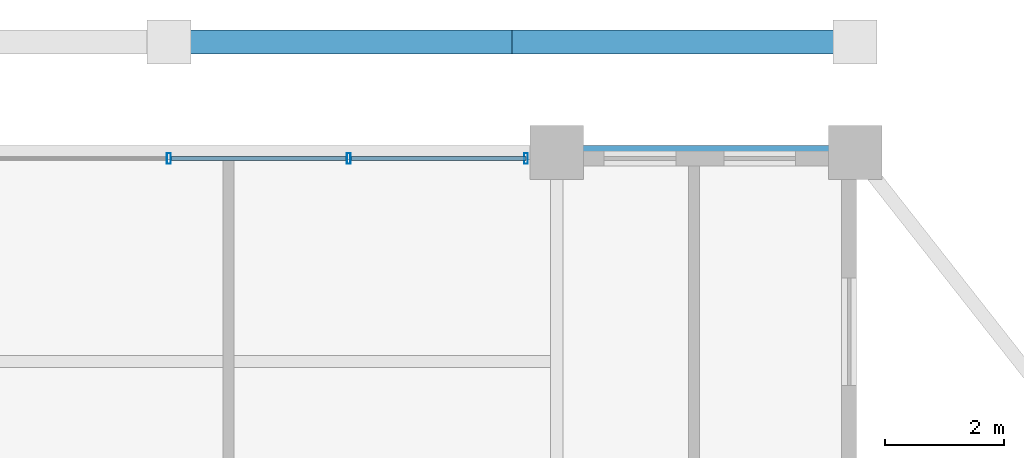
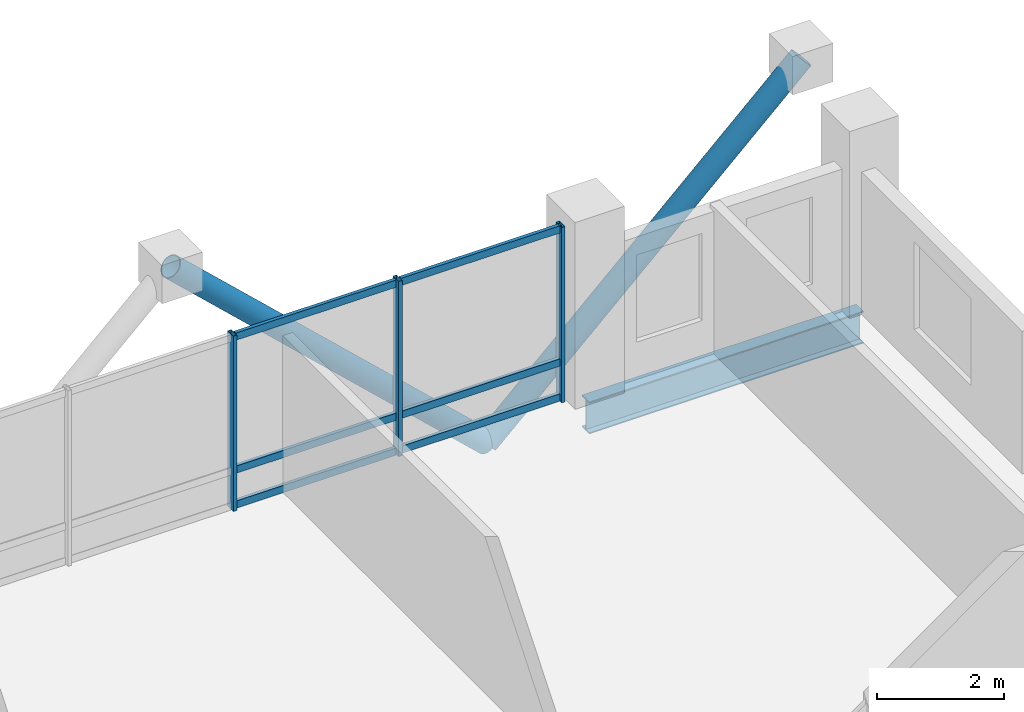
# One storey, part 16 of 22: 11 members, 1 beam, 1 element without a shape of its own.
"""IFC4 building model written with IfcOpenShell, lengths in metres."""

from ifc_helpers import new_model, si_unit, direction, frame, origin, origin_2d, place, context, subcontext, project, spatial, hollow_rectangle, hollow_circle, i_section, extrude, material, layer, layer_set, material_profile, profile_set, type_object, element, aggregate, save


model = new_model("IFC4")

# Units and contexts
model_context = context("Model", 3, precision=1e-05, world=origin(), true_north=direction((0.0, 1.0)))
body_context = subcontext(model_context, "Body", "Model", "MODEL_VIEW")
ifc_project = project(units=[si_unit("LENGTHUNIT", "METRE"), si_unit("AREAUNIT", "SQUARE_METRE"), si_unit("VOLUMEUNIT", "CUBIC_METRE"), si_unit("PLANEANGLEUNIT", "RADIAN"), si_unit("MASSUNIT", "GRAM", prefix="KILO")], contexts=[model_context])

# Site, building, storey
site_placement = place(None, origin())
site = spatial("IfcSite", under=ifc_project, at=site_placement, CompositionType="ELEMENT")
building_placement = place(site_placement, origin())
building = spatial("IfcBuilding", under=site, at=building_placement, Name="Barlavira Tower and Art Museum", CompositionType="ELEMENT")
storey_placement = place(building_placement, frame((0.0, 0.0, 269.10009765625)))
storey = spatial("IfcBuildingStorey", under=building, at=storey_placement, Name="L70", CompositionType="ELEMENT", Elevation=269.10009765625)

# Curtain wall, members
ifc_material_1 = material(Name="Low-iron coastal laminated glass", Category="glass")
ifc_layer = layer(ifc_material_1, 0.2099609375, Name="Low-iron coastal laminated glass")
ifc_layer_set = layer_set([ifc_layer], Name="Low-iron coastal laminated glass")
curtain_wall_type = type_object("IfcCurtainWallType", Name="Pale-Metal Unitised Curtain Wall Zone 4", PredefinedType="NOTDEFINED", material=ifc_layer_set)
curtain_wall_placement = place(storey_placement, origin())
curtain_wall = element("IfcCurtainWall", 1, at=curtain_wall_placement, inside=storey, type_object=curtain_wall_type, Name="L70 Curtain Wall CW4-L70-N-B2", PredefinedType="NOTDEFINED")
ifc_material_2 = material(Name="Pale anodised aluminium", Category="aluminium")
ifc_material_profile_1 = material_profile(ifc_material_2, hollow_rectangle(XDim=0.06494140625, YDim=0.179931640625, WallThickness=0.00390625, at=origin_2d()), Name="ALU-MULL 65x180x4")
ifc_profile_set_1 = profile_set([ifc_material_profile_1], Name="Pale anodised aluminium")
member_type_1 = type_object("IfcMemberType", Name="Curtain Wall Pale-Metal Mullion 65x180", PredefinedType="MULLION", material=ifc_profile_set_1)
member_1_placement = place(storey_placement, frame((5.985107421875, 19.89990234375, 0.0), z_axis=(0.0, 0.0, 1.0), x_axis=(-1.0, 0.0, 0.0)))
member_1 = element("IfcMember", 2, at=member_1_placement, type_object=member_type_1, Name="CW4-L70-N-B2 Mullion 0", PredefinedType="MULLION", context=body_context, shape_type="SweptSolid", body=[
    extrude(hollow_rectangle(XDim=0.06494140625, YDim=0.179931640625, WallThickness=0.00390625, at=origin_2d()), origin(), (0.0, 0.0, 1.0), 3.3798828125),
])
member_2_placement = place(storey_placement, frame((3.014892578125, 19.89990234375, 0.0), z_axis=(0.0, 0.0, 1.0), x_axis=(-1.0, 0.0, 0.0)))
member_2 = element("IfcMember", 3, at=member_2_placement, type_object=member_type_1, Name="CW4-L70-N-B2 Mullion 1", PredefinedType="MULLION", context=body_context, shape_type="SweptSolid", body=[
    extrude(hollow_rectangle(XDim=0.06494140625, YDim=0.179931640625, WallThickness=0.00390625, at=origin_2d()), origin(), (0.0, 0.0, 1.0), 3.3798828125),
])
member_3_placement = place(storey_placement, frame((0.0, 19.89990234375, 0.0), z_axis=(0.0, 0.0, 1.0), x_axis=(-1.0, 0.0, 0.0)))
member_3 = element("IfcMember", 4, at=member_3_placement, type_object=member_type_1, Name="CW4-L70-N-B2 Mullion 2", PredefinedType="MULLION", context=body_context, shape_type="SweptSolid", body=[
    extrude(hollow_rectangle(XDim=0.06494140625, YDim=0.179931640625, WallThickness=0.00390625, at=origin_2d()), origin(), (0.0, 0.0, 1.0), 3.3798828125),
])
ifc_material_profile_2 = material_profile(ifc_material_2, hollow_rectangle(XDim=0.06494140625, YDim=0.139892578125, WallThickness=0.00390625, at=origin_2d()), Name="ALU-TRAN 65x140x4")
ifc_profile_set_2 = profile_set([ifc_material_profile_2], Name="Pale anodised aluminium")
member_type_2 = type_object("IfcMemberType", Name="Curtain Wall Pale-Metal Transom 65x140", PredefinedType="USERDEFINED", material=ifc_profile_set_2)
member_4_placement = place(storey_placement, frame((5.985107421875, 19.89990234375, 0.06982421875), z_axis=(-1.0, 0.0, 0.0), x_axis=(0.0, -1.0, 0.0)))
member_4 = element("IfcMember", 5, at=member_4_placement, type_object=member_type_2, Name="CW4-L70-N-B2 Transom 0.1", ObjectType="TRANSOM", PredefinedType="USERDEFINED", context=body_context, shape_type="SweptSolid", body=[
    extrude(hollow_rectangle(XDim=0.06494140625, YDim=0.139892578125, WallThickness=0.00390625, at=origin_2d()), origin(), (0.0, 0.0, 1.0), 2.925048828125),
])
member_5_placement = place(storey_placement, frame((5.985107421875, 19.89990234375, 0.743896484375), z_axis=(-1.0, 0.0, 0.0), x_axis=(0.0, -1.0, 0.0)))
member_5 = element("IfcMember", 6, at=member_5_placement, type_object=member_type_2, Name="CW4-L70-N-B2 Transom 0.2", ObjectType="TRANSOM", PredefinedType="USERDEFINED", context=body_context, shape_type="SweptSolid", body=[
    extrude(hollow_rectangle(XDim=0.06494140625, YDim=0.139892578125, WallThickness=0.00390625, at=origin_2d()), origin(), (0.0, 0.0, 1.0), 2.925048828125),
])
member_6_placement = place(storey_placement, frame((5.985107421875, 19.89990234375, 3.309814453125), z_axis=(-1.0, 0.0, 0.0), x_axis=(0.0, -1.0, 0.0)))
member_6 = element("IfcMember", 7, at=member_6_placement, type_object=member_type_2, Name="CW4-L70-N-B2 Transom 0.3", ObjectType="TRANSOM", PredefinedType="USERDEFINED", context=body_context, shape_type="SweptSolid", body=[
    extrude(hollow_rectangle(XDim=0.06494140625, YDim=0.139892578125, WallThickness=0.00390625, at=origin_2d()), origin(), (0.0, 0.0, 1.0), 2.925048828125),
])
member_7_placement = place(storey_placement, frame((2.969970703125, 19.89990234375, 0.06982421875), z_axis=(-1.0, 0.0, 0.0), x_axis=(0.0, -1.0, 0.0)))
member_7 = element("IfcMember", 8, at=member_7_placement, type_object=member_type_2, Name="CW4-L70-N-B2 Transom 1.1", ObjectType="TRANSOM", PredefinedType="USERDEFINED", context=body_context, shape_type="SweptSolid", body=[
    extrude(hollow_rectangle(XDim=0.06494140625, YDim=0.139892578125, WallThickness=0.00390625, at=origin_2d()), origin(), (0.0, 0.0, 1.0), 2.925048828125),
])
member_8_placement = place(storey_placement, frame((2.969970703125, 19.89990234375, 0.743896484375), z_axis=(-1.0, 0.0, 0.0), x_axis=(0.0, -1.0, 0.0)))
member_8 = element("IfcMember", 9, at=member_8_placement, type_object=member_type_2, Name="CW4-L70-N-B2 Transom 1.2", ObjectType="TRANSOM", PredefinedType="USERDEFINED", context=body_context, shape_type="SweptSolid", body=[
    extrude(hollow_rectangle(XDim=0.06494140625, YDim=0.139892578125, WallThickness=0.00390625, at=origin_2d()), origin(), (0.0, 0.0, 1.0), 2.925048828125),
])
member_9_placement = place(storey_placement, frame((2.969970703125, 19.89990234375, 3.309814453125), z_axis=(-1.0, 0.0, 0.0), x_axis=(0.0, -1.0, 0.0)))
member_9 = element("IfcMember", 10, at=member_9_placement, type_object=member_type_2, Name="CW4-L70-N-B2 Transom 1.3", ObjectType="TRANSOM", PredefinedType="USERDEFINED", context=body_context, shape_type="SweptSolid", body=[
    extrude(hollow_rectangle(XDim=0.06494140625, YDim=0.139892578125, WallThickness=0.00390625, at=origin_2d()), origin(), (0.0, 0.0, 1.0), 2.925048828125),
])
aggregate(curtain_wall, [member_1, member_2, member_3, member_4, member_5, member_6, member_7, member_8, member_9])

# Members
ifc_material_3 = material(Name="Steel S355", Category="steel")
ifc_material_profile_3 = material_profile(ifc_material_3, hollow_circle(Radius=0.203125, WallThickness=0.01611328125, at=origin_2d()), Name="CHS 406.4x16.0")
ifc_profile_set_3 = profile_set([ifc_material_profile_3], Name="Steel S355")
member_type_3 = type_object("IfcMemberType", Name="Pale-Metal Exoskeleton Diagrid Tube CHS 406x16 Steel S355", PredefinedType="BRACE", material=ifc_profile_set_3)
for number, where, z_axis, x_axis, name in (
    (11, (5.75, 21.85009765625, -1.920166015625), (-0.728934650808, 0.0, 0.684583285548), (0.0, -1.0, 0.0), "L70 Exoskeleton Diagrid Tube N"),
    (12, (5.75, 21.85009765625, -1.920166015625), (0.728934650808, 0.0, 0.684583285548), (0.0, 1.0, 0.0), "L70 Exoskeleton Diagrid Tube N"),
):
    element("IfcMember", number, at=place(storey_placement, frame(where, z_axis=z_axis, x_axis=x_axis)), inside=storey, type_object=member_type_3, Name=name, PredefinedType="BRACE", context=body_context, shape_type="SweptSolid", body=[
        extrude(hollow_circle(Radius=0.203125, WallThickness=0.01611328125, at=origin_2d()), origin(), (0.0, 0.0, 1.0), 7.88818359375),
    ])

# Beam
ifc_material_profile_4 = material_profile(ifc_material_3, i_section(OverallWidth=0.22998046875, OverallDepth=0.616943359375, WebThickness=0.01318359375, FlangeThickness=0.022216796875, at=origin_2d()), Name="W610x140.0")
ifc_profile_set_4 = profile_set([ifc_material_profile_4], Name="Steel S355")
beam_type = type_object("IfcBeamType", Name="Upper Shaft Spandrel Edge Beam W610x140 Steel S355", PredefinedType="SPANDREL", material=ifc_profile_set_4)
beam_placement = place(storey_placement, frame((6.5, 20.0, -0.528564453125), z_axis=(1.0, 0.0, 0.0), x_axis=(0.0, 1.0, 0.0)))
element("IfcBeam", 13, at=beam_placement, inside=storey, type_object=beam_type, Name="L70 Spandrel 9", PredefinedType="SPANDREL", context=body_context, shape_type="SweptSolid", body=[
    extrude(i_section(OverallWidth=0.22998046875, OverallDepth=0.616943359375, WebThickness=0.01318359375, FlangeThickness=0.022216796875, at=origin_2d()), origin(), (0.0, 0.0, 1.0), 5.0),
])

save(model, "model.ifc")
